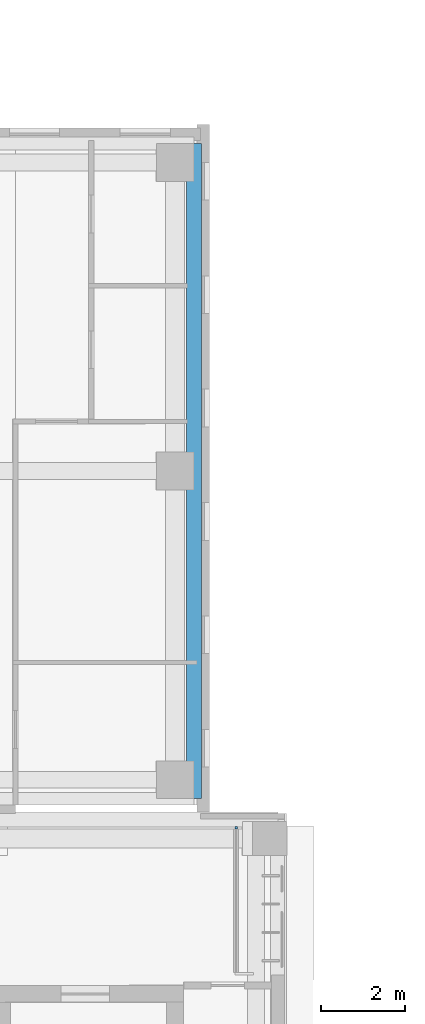
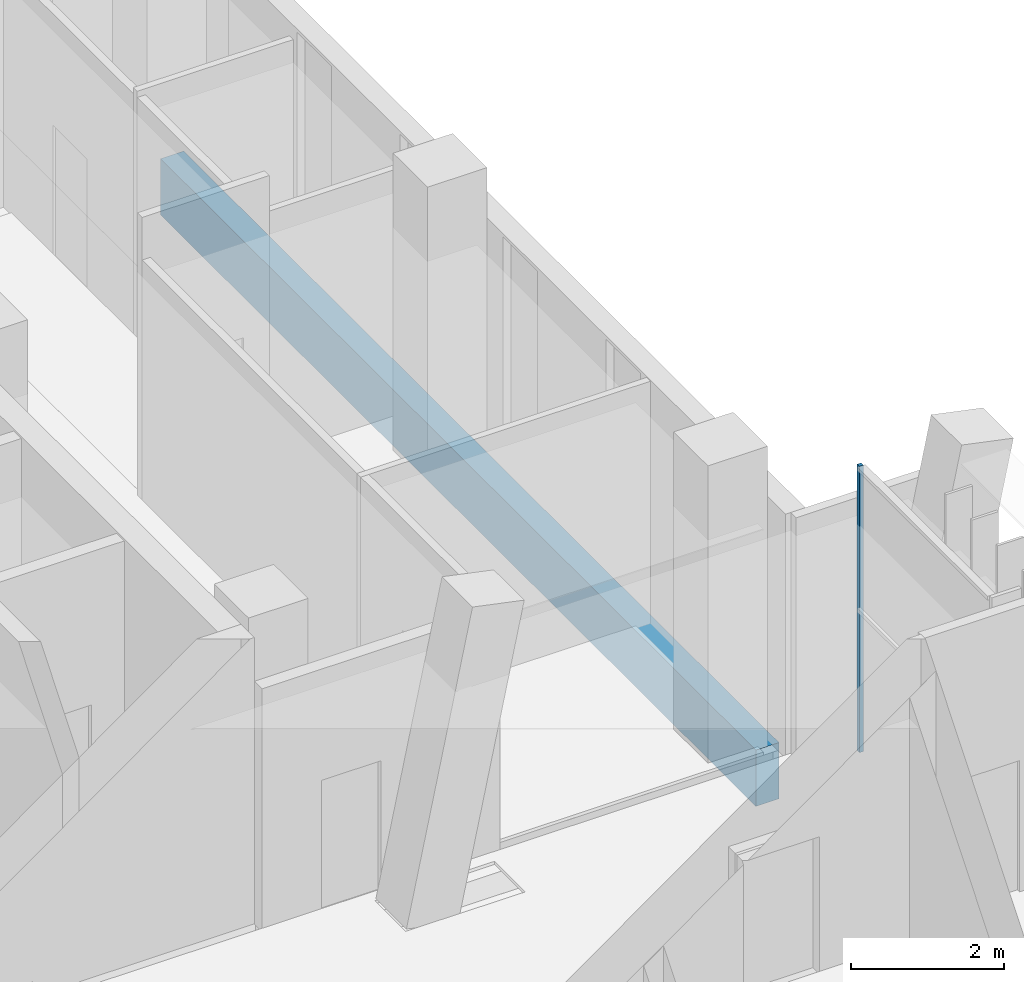
# One storey, part 87 of 141: 1 beam, 1 member, 1 element without a shape of its own.
"""IFC4 building model written with IfcOpenShell, lengths in metres."""

from ifc_helpers import new_model, si_unit, direction, frame, origin, origin_2d, place, context, subcontext, project, spatial, rectangle, extrude, material, material_profile, profile_set, type_object, element, aggregate, save


model = new_model("IFC4")

# Units and contexts
model_context = context("Model", 3, precision=1e-05, world=origin(), true_north=direction((0.0, 1.0)))
body_context = subcontext(model_context, "Body", "Model", "MODEL_VIEW")
ifc_project = project(units=[si_unit("LENGTHUNIT", "METRE"), si_unit("AREAUNIT", "SQUARE_METRE"), si_unit("VOLUMEUNIT", "CUBIC_METRE"), si_unit("PLANEANGLEUNIT", "RADIAN"), si_unit("MASSUNIT", "GRAM", prefix="KILO")], contexts=[model_context])

# Site, building, storey
site_placement = place(None, origin())
site = spatial("IfcSite", under=ifc_project, at=site_placement, CompositionType="ELEMENT")
building_placement = place(site_placement, origin())
building = spatial("IfcBuilding", under=site, at=building_placement, Name="Lantern Court Media Centre", CompositionType="ELEMENT")
storey_placement = place(building_placement, frame((0.0, 0.0, 9.60009765625)))
storey = spatial("IfcBuildingStorey", under=building, at=storey_placement, Name="L02", CompositionType="ELEMENT", Elevation=9.60009765625)

# Curtain wall, member
ifc_material_1 = material(Name="Curtain wall bay 3000")
curtain_wall_type = type_object("IfcCurtainWallType", Name="Curtain wall bay 3000", PredefinedType="NOTDEFINED", material=ifc_material_1)
curtain_wall_placement = place(storey_placement, origin())
curtain_wall = element("IfcCurtainWall", 1, at=curtain_wall_placement, inside=storey, type_object=curtain_wall_type, Name="Curtain wall E outer L02", PredefinedType="NOTDEFINED")
ifc_material_2 = material(Name="Anodised aluminium", Category="aluminium")
ifc_material_profile_1 = material_profile(ifc_material_2, rectangle(XDim=0.06005859375, YDim=0.06005859375, at=origin_2d()), Name="AL 60x60")
ifc_profile_set_1 = profile_set([ifc_material_profile_1], Name="Anodised aluminium")
member_type = type_object("IfcMemberType", Name="Curtain wall mullion 60x60", PredefinedType="MULLION", material=ifc_profile_set_1)
member_placement = place(storey_placement, frame((96.85009765625, 95.550048828125, 0.0), z_axis=(0.0, 0.0, 1.0), x_axis=(-1.0, 0.0, 0.0)))
member = element("IfcMember", 2, at=member_placement, type_object=member_type, Name="CW1 mullion 2", PredefinedType="MULLION", context=body_context, shape_type="SweptSolid", body=[
    extrude(rectangle(XDim=0.06005859375, YDim=0.06005859375, at=origin_2d()), origin(), (0.0, 0.0, 1.0), 4.579833984375),
])
aggregate(curtain_wall, [member])

# Beam
ifc_material_3 = material(Name="Concrete C35", Category="concrete")
ifc_material_profile_2 = material_profile(ifc_material_3, rectangle(XDim=0.35009765625, YDim=0.89990234375, at=origin_2d()), Name="RC 350x900")
ifc_profile_set_2 = profile_set([ifc_material_profile_2], Name="Concrete C35")
beam_type = type_object("IfcBeamType", Name="RC BEAM 350x900", PredefinedType="BEAM", material=ifc_profile_set_2)
beam_placement = place(storey_placement, frame((95.85009765625, 96.25, -0.4501953125), z_axis=(0.0, 1.0, 0.0), x_axis=(-1.0, 0.0, 0.0)))
element("IfcBeam", 3, at=beam_placement, inside=storey, type_object=beam_type, Name="EB-NE-L02-E", PredefinedType="BEAM", context=body_context, shape_type="SweptSolid", body=[
    extrude(rectangle(XDim=0.35009765625, YDim=0.89990234375, at=origin_2d()), origin(), (0.0, 0.0, 1.0), 15.60009765625),
])

save(model, "model.ifc")
